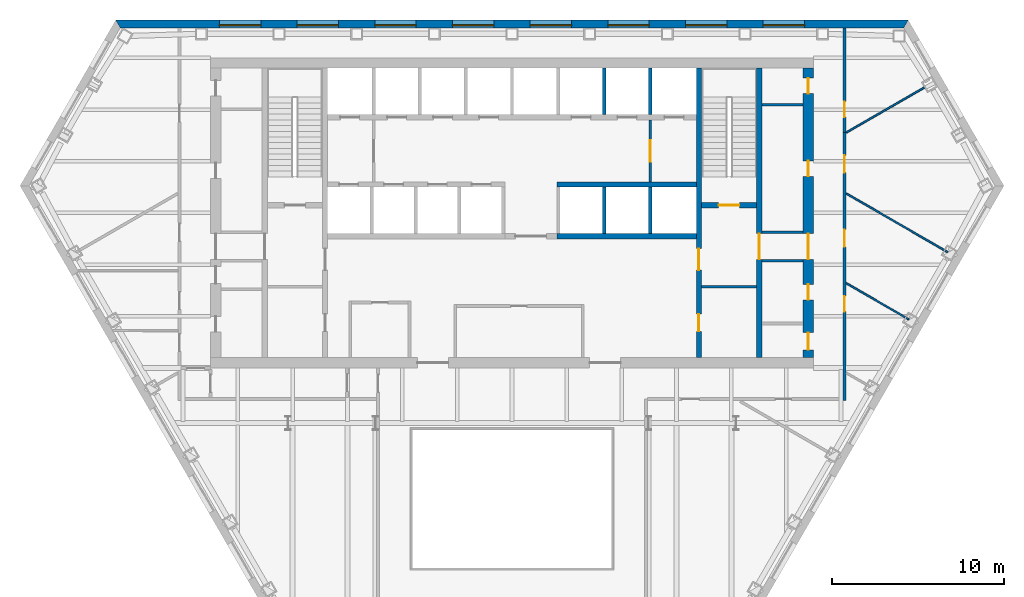
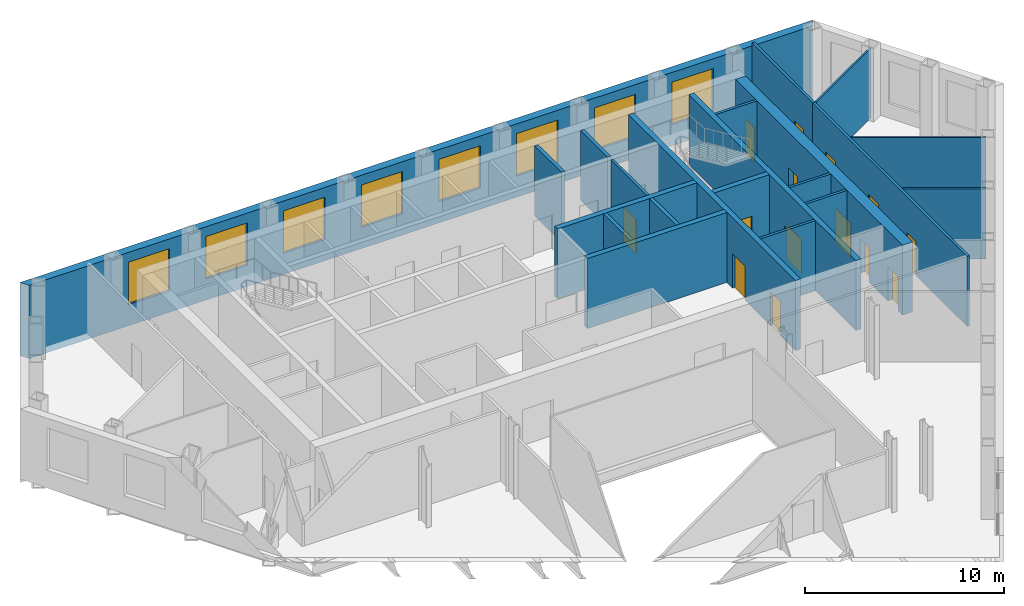
# One storey, part 8 of 12: 21 walls, 14 doors, 8 windows, 22 openings.
"""IFC4 building model written with IfcOpenShell, lengths in metres."""

import ifcopenshell
import ifcopenshell.guid

model = None  # the IFC model being written
_history = None  # IfcOwnerHistory: only IFC2X3 demands one
_inside = {}  # id of a spatial element -> (the spatial element, [elements in it])
_under = {}  # id of a project, library or spatial element -> (it, [spatial elements below it])
_declared = {}  # id of a project -> (the project, [libraries it declares])
_typed = {}  # id of a type object -> (the type object, [elements of that type])
_made_of = {}  # id of a material, layer set ... -> (it, [elements and type objects made of it])


def new_model(schema):
    """Start an empty IFC model of exactly this schema.

    Asked for "IFC4X3", IfcOpenShell would pick the latest addendum, in which some entities
    have other attributes; the version numbers below select the first issue.
    IFC2X3 requires an IfcOwnerHistory on every rooted entity: one is made here for all.
    """
    global model, _history
    if schema == "IFC4X3":
        model = ifcopenshell.file(schema_version=(4, 3, 0, 0))
    else:
        model = ifcopenshell.file(schema=schema)
    _inside.clear()
    _under.clear()
    _declared.clear()
    _typed.clear()
    _made_of.clear()
    _history = None
    if model.schema == "IFC2X3":
        org = make("IfcOrganization", Name="unknown")
        user = make(
            "IfcPersonAndOrganization",
            ThePerson=make("IfcPerson", FamilyName="unknown"),
            TheOrganization=org,
        )
        app = make(
            "IfcApplication",
            ApplicationDeveloper=org,
            Version="unknown",
            ApplicationFullName="unknown",
            ApplicationIdentifier="unknown",
        )
        _history = make(
            "IfcOwnerHistory",
            OwningUser=user,
            OwningApplication=app,
            ChangeAction="ADDED",
            CreationDate=0,
        )
    return model


def make(cls, **values):
    """One entity of the class cls with the attributes given. An attribute that is None is left unset."""
    return model.create_entity(
        cls, **{name: value for name, value in values.items() if value is not None}
    )


def rooted(cls, **values):
    """An entity with a GlobalId (a new one), such as an element, a storey or a relation."""
    return make(cls, GlobalId=ifcopenshell.guid.new(), OwnerHistory=_history, **values)


def si_unit(unit_type, name, prefix=None):
    """IfcSIUnit, for example si_unit("LENGTHUNIT", "METRE", prefix="MILLI")."""
    return make("IfcSIUnit", UnitType=unit_type, Prefix=prefix, Name=name)


def assignment(units):
    """IfcUnitAssignment: the units of a project."""
    return None if units is None else make("IfcUnitAssignment", Units=units)


def point(xyz):
    """IfcCartesianPoint."""
    return None if xyz is None else make("IfcCartesianPoint", Coordinates=xyz)


def direction(xyz):
    """IfcDirection."""
    return None if xyz is None else make("IfcDirection", DirectionRatios=xyz)


def frame(location, z_axis=None, x_axis=None):
    """IfcAxis2Placement3D, a coordinate frame: its origin and axes. An axis left out is left unset."""
    return make(
        "IfcAxis2Placement3D",
        Location=point(location),
        Axis=direction(z_axis),
        RefDirection=direction(x_axis),
    )


def frame_2d(location, x_axis=None):
    """IfcAxis2Placement2D, a coordinate frame in the plane: its origin and x axis."""
    return make(
        "IfcAxis2Placement2D", Location=point(location), RefDirection=direction(x_axis)
    )


def origin():
    """The frame at (0, 0, 0) with its axes left unset."""
    return frame((0.0, 0.0, 0.0))


def place(relative_to, where):
    """IfcLocalPlacement: puts the frame where relative to a parent placement (None: the world)."""
    return make(
        "IfcLocalPlacement", PlacementRelTo=relative_to, RelativePlacement=where
    )


def context(
    kind, dimensions, precision=None, world=None, true_north=None, identifier=None
):
    """IfcGeometricRepresentationContext, for example the 3D "Model" context."""
    return make(
        "IfcGeometricRepresentationContext",
        ContextIdentifier=identifier,
        ContextType=kind,
        CoordinateSpaceDimension=dimensions,
        Precision=precision,
        WorldCoordinateSystem=world,
        TrueNorth=true_north,
    )


def subcontext(parent, identifier, kind, view, scale=None):
    """IfcGeometricRepresentationSubContext, for example "Body" below "Model"."""
    return make(
        "IfcGeometricRepresentationSubContext",
        ContextIdentifier=identifier,
        ContextType=kind,
        ParentContext=parent,
        TargetScale=scale,
        TargetView=view,
    )


def project(units=None, contexts=None):
    """IfcProject with its units and contexts."""
    return rooted(
        "IfcProject",
        Name="project",
        RepresentationContexts=contexts,
        UnitsInContext=assignment(units),
    )


def spatial(cls, under=None, at=None, **own):
    """A site, building, storey or space (cls), placed at a placement, below another one or the project."""
    s = rooted(cls, ObjectPlacement=at, **own)
    if under is not None:
        _under.setdefault(under.id(), (under, []))[1].append(s)
    return s


def polyline(points):
    """IfcPolyline through the points."""
    return make("IfcPolyline", Points=[point(p) for p in points])


def profile(cls, at=None, kind="AREA", **sizes):
    """A parametric profile (cls). Its sizes go by their IFC names, for example OverallWidth=200.0."""
    return make(cls, ProfileType=kind, Position=at, **sizes)


def rectangle(**sizes):
    """IfcRectangleProfileDef."""
    return profile("IfcRectangleProfileDef", **sizes)


def outline(outer, holes=None, kind="AREA"):
    """IfcArbitraryClosedProfileDef: a profile drawn as a closed curve; with holes, ...WithVoids."""
    if holes is None:
        return make("IfcArbitraryClosedProfileDef", ProfileType=kind, OuterCurve=outer)
    return make(
        "IfcArbitraryProfileDefWithVoids",
        ProfileType=kind,
        OuterCurve=outer,
        InnerCurves=holes,
    )


def extrude(swept, where, along, depth):
    """IfcExtrudedAreaSolid: the profile swept, set in the frame where, extruded along a direction by depth."""
    return make(
        "IfcExtrudedAreaSolid",
        SweptArea=swept,
        Position=where,
        ExtrudedDirection=direction(along),
        Depth=depth,
    )


def shape(context_of_items, identifier, shape_type, items):
    """IfcShapeRepresentation: the items that make up one representation, for example the "Body"."""
    return make(
        "IfcShapeRepresentation",
        ContextOfItems=context_of_items,
        RepresentationIdentifier=identifier,
        RepresentationType=shape_type,
        Items=items,
    )


def material(Name=None, Category=None):
    """IfcMaterial."""
    return make("IfcMaterial", Name=Name, Category=Category)


def layer(
    of_material, thickness, ventilated=None, Name=None, Category=None, Priority=None
):
    """IfcMaterialLayer: one layer of a wall or slab, of a material (None: an air gap)."""
    return make(
        "IfcMaterialLayer",
        Material=of_material,
        LayerThickness=thickness,
        IsVentilated=ventilated,
        Name=Name,
        Category=Category,
        Priority=Priority,
    )


def layer_set(layers, Name=None):
    """IfcMaterialLayerSet."""
    return make("IfcMaterialLayerSet", MaterialLayers=layers, LayerSetName=Name)


def made_of(thing, what):
    """Note that an element or type object is made of a material, layer set ...; save() writes the relation."""
    if what is not None:
        _made_of.setdefault(what.id(), (what, []))[1].append(thing)
    return thing


def type_object(cls, material=None, **own):
    """A type object (cls), such as IfcWallType, which elements share."""
    return made_of(rooted(cls, **own), material)


def element(
    cls,
    number,
    at=None,
    inside=None,
    cuts=None,
    type_object=None,
    material=None,
    context=None,
    identifier="Body",
    shape_type=None,
    held_by="IfcProductDefinitionShape",
    body=None,
    shapes=None,
    **own,
):
    """One element of the class cls, such as IfcWall. Its Tag is "e" and its number.

    at: its placement. inside: the storey or other place that contains it. cuts: it is an
    opening in that element (IfcRelVoidsElement). A single representation is given by context,
    identifier, shape_type and body (its items); several are given by shapes. held_by: the class
    of the entity that holds the representations. save() writes the other relations.
    """
    e = rooted(cls, Tag="e%d" % number, ObjectPlacement=at, **own)
    if body is not None:
        shapes = [shape(context, identifier, shape_type, body)]
    if shapes is not None:
        e.Representation = make(held_by, Representations=shapes)
    if inside is not None:
        _inside.setdefault(inside.id(), (inside, []))[1].append(e)
    if cuts is not None:
        rooted(
            "IfcRelVoidsElement", RelatingBuildingElement=cuts, RelatedOpeningElement=e
        )
    if type_object is not None:
        _typed.setdefault(type_object.id(), (type_object, []))[1].append(e)
    return made_of(e, material)


def fill(opening, filler):
    """IfcRelFillsElement: the door or window that sits in an opening."""
    return rooted(
        "IfcRelFillsElement",
        RelatingOpeningElement=opening,
        RelatedBuildingElement=filler,
    )


def aggregate(whole, parts):
    """IfcRelAggregates: a whole, such as a stair, and the parts it consists of."""
    return rooted("IfcRelAggregates", RelatingObject=whole, RelatedObjects=parts)


def save(model, path):
    """Write the relations noted so far, then the file.

    IfcRelAggregates (storeys below a building ...), IfcRelContainedInSpatialStructure (elements
    in a storey), IfcRelDefinesByType, IfcRelAssociatesMaterial and IfcRelDeclares: one each for
    every whole, place, type object, material and project.
    """
    for whole, parts in _under.values():
        aggregate(whole, parts)
    for where, things in _inside.values():
        rooted(
            "IfcRelContainedInSpatialStructure",
            RelatedElements=things,
            RelatingStructure=where,
        )
    for kind, things in _typed.values():
        rooted("IfcRelDefinesByType", RelatedObjects=things, RelatingType=kind)
    for what, things in _made_of.values():
        rooted("IfcRelAssociatesMaterial", RelatedObjects=things, RelatingMaterial=what)
    for by, libraries in _declared.values():
        rooted("IfcRelDeclares", RelatingContext=by, RelatedDefinitions=libraries)
    model.write(path)


model = new_model("IFC4")

# Units and contexts
model_context = context("Model", 3, precision=1e-05, world=origin(), true_north=direction((0.0, 1.0)))
body_context = subcontext(model_context, "Body", "Model", "MODEL_VIEW")
ifc_project = project(units=[si_unit("LENGTHUNIT", "METRE"), si_unit("AREAUNIT", "SQUARE_METRE"), si_unit("VOLUMEUNIT", "CUBIC_METRE"), si_unit("PLANEANGLEUNIT", "RADIAN"), si_unit("MASSUNIT", "GRAM", prefix="KILO")], contexts=[model_context])

# Site, building, storey
site_placement = place(None, origin())
site = spatial("IfcSite", under=ifc_project, at=site_placement, CompositionType="ELEMENT")
building_placement = place(site_placement, origin())
building = spatial("IfcBuilding", under=site, at=building_placement, Name="Njiva Tower", CompositionType="ELEMENT")
storey_placement = place(building_placement, frame((0.0, 0.0, 60.3)))
storey = spatial("IfcBuildingStorey", under=building, at=storey_placement, Name="L12", CompositionType="ELEMENT", Elevation=60.3)

# Wall
ifc_material_1 = material(Name="Blockwork", Category="masonry")
ifc_layer_1 = layer(ifc_material_1, 0.15)
ifc_layer_set_1 = layer_set([ifc_layer_1], Name="Blockwork")
wall_type_1 = type_object("IfcWallType", Name="WT1 Compartment partition 150", PredefinedType="PARTITIONING", material=ifc_layer_set_1)
wall_1_placement = place(storey_placement, frame((11.0, 4.725, 0.0), z_axis=(0.0, 0.0, 1.0), x_axis=(1.0, 0.0, 0.0)))
element("IfcWall", 1, at=wall_1_placement, inside=storey, type_object=wall_type_1, Name="Room wall B", PredefinedType="PARTITIONING", context=body_context, shape_type="SweptSolid", body=[
    extrude(rectangle(XDim=3.2, YDim=0.15, at=frame_2d((1.6, 0.0))), origin(), (0.0, 0.0, 1.0), 4.3),
])

# Wall, openings, doors
ifc_material_2 = material(Name="Concrete C40/50", Category="concrete")
ifc_layer_2 = layer(ifc_material_2, 0.3)
ifc_layer_set_2 = layer_set([ifc_layer_2], Name="Concrete C40/50")
wall_type_2 = type_object("IfcWallType", Name="WT10 Stair enclosure wall 300", PredefinedType="SHEAR", material=ifc_layer_set_2)
wall_2_placement = place(storey_placement, frame((10.85, 0.6, 0.0), z_axis=(0.0, 0.0, 1.0), x_axis=(0.0, 1.0, 0.0)))
wall_2 = element("IfcWall", 2, at=wall_2_placement, inside=storey, type_object=wall_type_2, Name="Stair wall east inner", PredefinedType="SHEAR", context=body_context, shape_type="SweptSolid", body=[
    extrude(rectangle(XDim=16.8, YDim=0.3, at=frame_2d((8.4, 0.0))), origin(), (0.0, 0.0, 1.0), 4.3),
])
opening_1_placement = place(wall_2_placement, frame((5.075, 0.0, 0.0)))
opening_1 = element("IfcOpeningElement", 3, at=opening_1_placement, cuts=wall_2, Name="Opening S04-D918", PredefinedType="OPENING", context=body_context, shape_type="SweptSolid", body=[
    extrude(rectangle(XDim=1.25, YDim=2.1, at=frame_2d((0.625, 1.05))), frame((0.0, 0.16, 0.0), z_axis=(0.0, -1.0, 0.0), x_axis=(1.0, 0.0, 0.0)), (0.0, 0.0, 1.0), 0.32),
])
opening_2_placement = place(wall_2_placement, frame((1.525, 0.0, 0.0)))
opening_2 = element("IfcOpeningElement", 4, at=opening_2_placement, cuts=wall_2, Name="Opening S04-D919", PredefinedType="OPENING", context=body_context, shape_type="SweptSolid", body=[
    extrude(rectangle(XDim=1.0, YDim=2.1, at=frame_2d((0.5, 1.05))), frame((0.0, 0.16, 0.0), z_axis=(0.0, -1.0, 0.0), x_axis=(1.0, 0.0, 0.0)), (0.0, 0.0, 1.0), 0.32),
])
ifc_material_3 = material(Name="Steel door, painted", Category="steel")
door_type_1 = type_object("IfcDoorType", Name="D5 Steel door 1000x2100", OperationType="SINGLE_SWING_LEFT", PredefinedType="DOOR", material=ifc_material_3)
door_1_placement = place(opening_2_placement, origin())
door_1 = element("IfcDoor", 5, at=door_1_placement, inside=storey, type_object=door_type_1, Name="Meeting room door", OperationType="SINGLE_SWING_LEFT", OverallHeight=2.1, OverallWidth=1.0, PredefinedType="DOOR", context=body_context, shape_type="SweptSolid", body=[
    extrude(rectangle(XDim=1.0, YDim=2.1, at=frame_2d((0.5, 1.05))), frame((0.0, 0.025, 0.0), z_axis=(0.0, -1.0, 0.0), x_axis=(1.0, 0.0, 0.0)), (0.0, 0.0, 1.0), 0.05),
])
fill(opening_2, door_1)
ifc_material_4 = material(Name="Glazed steel fire door", Category="steel")
door_type_2 = type_object("IfcDoorType", Name="D8 Vestibule corridor door 1250x2100 glazed", OperationType="SINGLE_SWING_LEFT", PredefinedType="DOOR", material=ifc_material_4)
door_2_placement = place(opening_1_placement, origin())
door_2 = element("IfcDoor", 6, at=door_2_placement, inside=storey, type_object=door_type_2, Name="Stair vestibule corridor door", OperationType="SINGLE_SWING_RIGHT", OverallHeight=2.1, OverallWidth=1.25, PredefinedType="DOOR", context=body_context, shape_type="SweptSolid", body=[
    extrude(rectangle(XDim=1.25, YDim=2.1, at=frame_2d((0.625, 1.05))), frame((0.0, 0.025, 0.0), z_axis=(0.0, -1.0, 0.0), x_axis=(1.0, 0.0, 0.0)), (0.0, 0.0, 1.0), 0.05),
])
fill(opening_1, door_2)

# Wall, opening, door
wall_3_placement = place(storey_placement, frame((14.35, 0.6, 0.0), z_axis=(0.0, 0.0, 1.0), x_axis=(0.0, 1.0, 0.0)))
wall_3 = element("IfcWall", 7, at=wall_3_placement, inside=storey, type_object=wall_type_2, Name="Stair wall east outer", PredefinedType="SHEAR", context=body_context, shape_type="SweptSolid", body=[
    extrude(rectangle(XDim=16.8, YDim=0.3, at=frame_2d((8.4, 0.0))), origin(), (0.0, 0.0, 1.0), 4.3),
])
opening_3_placement = place(wall_3_placement, frame((5.7, 0.0, 0.0)))
opening_3 = element("IfcOpeningElement", 8, at=opening_3_placement, cuts=wall_3, Name="Opening S04-D926", PredefinedType="OPENING", context=body_context, shape_type="SweptSolid", body=[
    extrude(rectangle(XDim=1.5, YDim=2.1, at=frame_2d((0.75, 1.05))), frame((0.0, 0.16, 0.0), z_axis=(0.0, -1.0, 0.0), x_axis=(1.0, 0.0, 0.0)), (0.0, 0.0, 1.0), 0.32),
])
door_type_3 = type_object("IfcDoorType", Name="D10 Exit door double 1500x2100 glazed", OperationType="DOUBLE_DOOR_SINGLE_SWING", PredefinedType="DOOR", material=ifc_material_4)
door_3_placement = place(opening_3_placement, origin())
door_3 = element("IfcDoor", 9, at=door_3_placement, inside=storey, type_object=door_type_3, Name="Stair B passage door", OperationType="DOUBLE_DOOR_SINGLE_SWING", OverallHeight=2.1, OverallWidth=1.5, PredefinedType="DOOR", context=body_context, shape_type="SweptSolid", body=[
    extrude(rectangle(XDim=1.5, YDim=2.1, at=frame_2d((0.75, 1.05))), frame((0.0, 0.025, 0.0), z_axis=(0.0, -1.0, 0.0), x_axis=(1.0, 0.0, 0.0)), (0.0, 0.0, 1.0), 0.05),
])
fill(opening_3, door_3)

wall_4_placement = place(storey_placement, frame((11.0, 9.45, 0.0), z_axis=(0.0, 0.0, 1.0), x_axis=(1.0, 0.0, 0.0)))
wall_4 = element("IfcWall", 10, at=wall_4_placement, inside=storey, type_object=wall_type_2, Name="Stair B south wall", PredefinedType="SHEAR", context=body_context, shape_type="SweptSolid", body=[
    extrude(rectangle(XDim=3.2, YDim=0.3, at=frame_2d((1.6, 0.0))), origin(), (0.0, 0.0, 1.0), 4.3),
])
opening_4_placement = place(wall_4_placement, frame((1.0, 0.0, 0.0)))
opening_4 = element("IfcOpeningElement", 11, at=opening_4_placement, cuts=wall_4, Name="Opening S04-D917", PredefinedType="OPENING", context=body_context, shape_type="SweptSolid", body=[
    extrude(rectangle(XDim=1.2, YDim=2.1, at=frame_2d((0.6, 1.05))), frame((0.0, 0.16, 0.0), z_axis=(0.0, -1.0, 0.0), x_axis=(1.0, 0.0, 0.0)), (0.0, 0.0, 1.0), 0.32),
])
door_type_4 = type_object("IfcDoorType", Name="D7 Stair vestibule door 1200x2100 glazed", OperationType="SINGLE_SWING_LEFT", PredefinedType="DOOR", material=ifc_material_4)
door_4_placement = place(opening_4_placement, origin())
door_4 = element("IfcDoor", 12, at=door_4_placement, inside=storey, type_object=door_type_4, Name="Stair B door", OperationType="SINGLE_SWING_LEFT", OverallHeight=2.1, OverallWidth=1.2, PredefinedType="DOOR", context=body_context, shape_type="SweptSolid", body=[
    extrude(rectangle(XDim=1.2, YDim=2.1, at=frame_2d((0.6, 1.05))), frame((0.0, 0.025, 0.0), z_axis=(0.0, -1.0, 0.0), x_axis=(1.0, 0.0, 0.0)), (0.0, 0.0, 1.0), 0.05),
])
fill(opening_4, door_4)

# Wall, openings, doors
ifc_material_5 = material(Name="Concrete C60/75", Category="concrete")
ifc_layer_3 = layer(ifc_material_5, 0.6)
ifc_layer_set_3 = layer_set([ifc_layer_3], Name="Concrete C60/75")
wall_type_3 = type_object("IfcWallType", Name="WT15 Core wall 600", PredefinedType="SHEAR", material=ifc_layer_set_3)
wall_5_placement = place(storey_placement, frame((17.2, 0.6, 0.0), z_axis=(0.0, 0.0, 1.0), x_axis=(0.0, 1.0, 0.0)))
wall_5 = element("IfcWall", 13, at=wall_5_placement, inside=storey, type_object=wall_type_3, Name="Core wall east", PredefinedType="SHEAR", context=body_context, shape_type="SweptSolid", body=[
    extrude(rectangle(XDim=16.8, YDim=0.6, at=frame_2d((8.4, 0.0))), origin(), (0.0, 0.0, 1.0), 4.3),
])
opening_5_placement = place(wall_5_placement, frame((5.7, 0.0, 0.0)))
opening_5 = element("IfcOpeningElement", 14, at=opening_5_placement, cuts=wall_5, Name="Opening S04-D927", PredefinedType="OPENING", context=body_context, shape_type="SweptSolid", body=[
    extrude(rectangle(XDim=1.5, YDim=2.1, at=frame_2d((0.75, 1.05))), frame((0.0, 0.31, 0.0), z_axis=(0.0, -1.0, 0.0), x_axis=(1.0, 0.0, 0.0)), (0.0, 0.0, 1.0), 0.62),
])
opening_6_placement = place(wall_5_placement, frame((0.4543, 0.0, 0.0)))
opening_6 = element("IfcOpeningElement", 15, at=opening_6_placement, cuts=wall_5, Name="Opening S04-D928", PredefinedType="OPENING", context=body_context, shape_type="SweptSolid", body=[
    extrude(rectangle(XDim=1.0, YDim=2.1, at=frame_2d((0.5, 1.05))), frame((0.0, 0.31, 0.0), z_axis=(0.0, -1.0, 0.0), x_axis=(1.0, 0.0, 0.0)), (0.0, 0.0, 1.0), 0.62),
])
opening_7_placement = place(wall_5_placement, frame((3.3543, 0.0, 0.0)))
opening_7 = element("IfcOpeningElement", 16, at=opening_7_placement, cuts=wall_5, Name="Opening S04-D929", PredefinedType="OPENING", context=body_context, shape_type="SweptSolid", body=[
    extrude(rectangle(XDim=0.9, YDim=2.1, at=frame_2d((0.45, 1.05))), frame((0.0, 0.31, 0.0), z_axis=(0.0, -1.0, 0.0), x_axis=(1.0, 0.0, 0.0)), (0.0, 0.0, 1.0), 0.62),
])
opening_8_placement = place(wall_5_placement, frame((10.5266, 0.0, 0.0)))
opening_8 = element("IfcOpeningElement", 17, at=opening_8_placement, cuts=wall_5, Name="Opening S04-D930", PredefinedType="OPENING", context=body_context, shape_type="SweptSolid", body=[
    extrude(rectangle(XDim=0.9, YDim=2.1, at=frame_2d((0.45, 1.05))), frame((0.0, 0.31, 0.0), z_axis=(0.0, -1.0, 0.0), x_axis=(1.0, 0.0, 0.0)), (0.0, 0.0, 1.0), 0.62),
])
opening_9_placement = place(wall_5_placement, frame((15.3266, 0.0, 0.0)))
opening_9 = element("IfcOpeningElement", 18, at=opening_9_placement, cuts=wall_5, Name="Opening S04-D931", PredefinedType="OPENING", context=body_context, shape_type="SweptSolid", body=[
    extrude(rectangle(XDim=0.9, YDim=2.1, at=frame_2d((0.45, 1.05))), frame((0.0, 0.31, 0.0), z_axis=(0.0, -1.0, 0.0), x_axis=(1.0, 0.0, 0.0)), (0.0, 0.0, 1.0), 0.62),
])
door_5_placement = place(opening_5_placement, origin())
door_5 = element("IfcDoor", 19, at=door_5_placement, inside=storey, type_object=door_type_3, Name="Stair B corridor door", OperationType="DOUBLE_DOOR_SINGLE_SWING", OverallHeight=2.1, OverallWidth=1.5, PredefinedType="DOOR", context=body_context, shape_type="SweptSolid", body=[
    extrude(rectangle(XDim=1.5, YDim=2.1, at=frame_2d((0.75, 1.05))), frame((0.0, 0.025, 0.0), z_axis=(0.0, -1.0, 0.0), x_axis=(1.0, 0.0, 0.0)), (0.0, 0.0, 1.0), 0.05),
])
fill(opening_5, door_5)
door_type_5 = type_object("IfcDoorType", Name="D4 Riser door 900x2100", OperationType="SINGLE_SWING_LEFT", PredefinedType="DOOR", material=ifc_material_3)
door_6_placement = place(opening_9_placement, origin())
door_6 = element("IfcDoor", 20, at=door_6_placement, inside=storey, type_object=door_type_5, Name="Riser door", OperationType="SINGLE_SWING_RIGHT", OverallHeight=2.1, OverallWidth=0.9, PredefinedType="DOOR", context=body_context, shape_type="SweptSolid", body=[
    extrude(rectangle(XDim=0.9, YDim=2.1, at=frame_2d((0.45, 1.05))), frame((0.0, 0.025, 0.0), z_axis=(0.0, -1.0, 0.0), x_axis=(1.0, 0.0, 0.0)), (0.0, 0.0, 1.0), 0.05),
])
fill(opening_9, door_6)
door_7_placement = place(opening_6_placement, origin())
door_7 = element("IfcDoor", 21, at=door_7_placement, inside=storey, type_object=door_type_1, Name="Telecoms room door", OperationType="SINGLE_SWING_RIGHT", OverallHeight=2.1, OverallWidth=1.0, PredefinedType="DOOR", context=body_context, shape_type="SweptSolid", body=[
    extrude(rectangle(XDim=1.0, YDim=2.1, at=frame_2d((0.5, 1.05))), frame((0.0, 0.025, 0.0), z_axis=(0.0, -1.0, 0.0), x_axis=(1.0, 0.0, 0.0)), (0.0, 0.0, 1.0), 0.05),
])
fill(opening_6, door_7)
ifc_material_6 = material(Name="Steel fire door, painted", Category="steel")
door_type_6 = type_object("IfcDoorType", Name="D6 Fire-rated door 900x2100", OperationType="SINGLE_SWING_LEFT", PredefinedType="DOOR", material=ifc_material_6)
door_8_placement = place(opening_7_placement, origin())
door_8 = element("IfcDoor", 22, at=door_8_placement, inside=storey, type_object=door_type_6, Name="Quiet room door", OperationType="SINGLE_SWING_RIGHT", OverallHeight=2.1, OverallWidth=0.9, PredefinedType="DOOR", context=body_context, shape_type="SweptSolid", body=[
    extrude(rectangle(XDim=0.9, YDim=2.1, at=frame_2d((0.45, 1.05))), frame((0.0, 0.025, 0.0), z_axis=(0.0, -1.0, 0.0), x_axis=(1.0, 0.0, 0.0)), (0.0, 0.0, 1.0), 0.05),
])
fill(opening_7, door_8)
door_9_placement = place(opening_8_placement, origin())
door_9 = element("IfcDoor", 23, at=door_9_placement, inside=storey, type_object=door_type_6, Name="Prayer room door", OperationType="SINGLE_SWING_LEFT", OverallHeight=2.1, OverallWidth=0.9, PredefinedType="DOOR", context=body_context, shape_type="SweptSolid", body=[
    extrude(rectangle(XDim=0.9, YDim=2.1, at=frame_2d((0.45, 1.05))), frame((0.0, 0.025, 0.0), z_axis=(0.0, -1.0, 0.0), x_axis=(1.0, 0.0, 0.0)), (0.0, 0.0, 1.0), 0.05),
])
fill(opening_8, door_9)

# Wall, opening, door
ifc_layer_4 = layer(ifc_material_1, 0.15)
ifc_layer_set_4 = layer_set([ifc_layer_4], Name="Blockwork")
wall_type_4 = type_object("IfcWallType", Name="WT2 Lobby partition 150", PredefinedType="PARTITIONING", material=ifc_layer_set_4)
wall_6_placement = place(storey_placement, frame((8.025, 10.8, 0.0), z_axis=(0.0, 0.0, 1.0), x_axis=(0.0, 1.0, 0.0)))
wall_6 = element("IfcWall", 24, at=wall_6_placement, inside=storey, type_object=wall_type_4, Name="Firefighting lobby wall B", PredefinedType="PARTITIONING", context=body_context, shape_type="SweptSolid", body=[
    extrude(rectangle(XDim=3.6, YDim=0.15, at=frame_2d((1.8, 0.0))), origin(), (0.0, 0.0, 1.0), 4.3),
])
opening_10_placement = place(wall_6_placement, frame((1.175, 0.0, 0.0)))
opening_10 = element("IfcOpeningElement", 25, at=opening_10_placement, cuts=wall_6, Name="Opening S04-D916", PredefinedType="OPENING", context=body_context, shape_type="SweptSolid", body=[
    extrude(rectangle(XDim=1.25, YDim=2.1, at=frame_2d((0.625, 1.05))), frame((0.0, 0.085, 0.0), z_axis=(0.0, -1.0, 0.0), x_axis=(1.0, 0.0, 0.0)), (0.0, 0.0, 1.0), 0.17),
])
door_10_placement = place(opening_10_placement, origin())
door_10 = element("IfcDoor", 26, at=door_10_placement, inside=storey, type_object=door_type_2, Name="Stair vestibule corridor door", OperationType="SINGLE_SWING_LEFT", OverallHeight=2.1, OverallWidth=1.25, PredefinedType="DOOR", context=body_context, shape_type="SweptSolid", body=[
    extrude(rectangle(XDim=1.25, YDim=2.1, at=frame_2d((0.625, 1.05))), frame((0.0, 0.025, 0.0), z_axis=(0.0, -1.0, 0.0), x_axis=(1.0, 0.0, 0.0)), (0.0, 0.0, 1.0), 0.05),
])
fill(opening_10, door_10)

# Walls
ifc_material_7 = material(Name="Gypsum board on steel studs", Category="gypsum")
ifc_layer_5 = layer(ifc_material_7, 0.1)
ifc_layer_set_5 = layer_set([ifc_layer_5], Name="Gypsum board on steel studs")
wall_type_5 = type_object("IfcWallType", Name="WT20 Gypsum partition 100", PredefinedType="PARTITIONING", material=ifc_layer_set_5)
wall_7_placement = place(storey_placement, frame((19.4, 4.921, 0.0), z_axis=(0.0, 0.0, 1.0), x_axis=(0.866039032844, -0.499976393034, 0.0)))
element("IfcWall", 27, at=wall_7_placement, inside=storey, type_object=wall_type_5, Name="Partition S04-P020", PredefinedType="PARTITIONING", context=body_context, shape_type="SweptSolid", body=[
    extrude(rectangle(XDim=4.2042, YDim=0.1, at=frame_2d((2.1021, 0.0))), origin(), (0.0, 0.0, 1.0), 4.3),
])
wall_8_placement = place(storey_placement, frame((19.401, 10.128, 0.0), z_axis=(0.0, 0.0, 1.0), x_axis=(0.865992313895, -0.50005730899, 0.0)))
element("IfcWall", 28, at=wall_8_placement, inside=storey, type_object=wall_type_5, Name="Partition S04-P021", PredefinedType="PARTITIONING", context=body_context, shape_type="SweptSolid", body=[
    extrude(rectangle(XDim=6.8072, YDim=0.1, at=frame_2d((3.4036, 0.0))), origin(), (0.0, 0.0, 1.0), 4.3),
])
wall_9_placement = place(storey_placement, frame((19.401, 13.666, 0.0), z_axis=(0.0, 0.0, 1.0), x_axis=(0.866161319146, 0.499764513761, 0.0)))
element("IfcWall", 29, at=wall_9_placement, inside=storey, type_object=wall_type_5, Name="Partition S04-P022", PredefinedType="PARTITIONING", context=body_context, shape_type="SweptSolid", body=[
    extrude(rectangle(XDim=5.4886, YDim=0.1, at=frame_2d((2.7443, 0.0))), origin(), (0.0, 0.0, 1.0), 4.3),
])

# Wall, openings, doors
ifc_layer_6 = layer(ifc_material_7, 0.15)
ifc_layer_set_6 = layer_set([ifc_layer_6], Name="Gypsum board on steel studs")
wall_type_6 = type_object("IfcWallType", Name="WT21 Compartment wall 150", PredefinedType="PARTITIONING", material=ifc_layer_set_6)
wall_10_placement = place(storey_placement, frame((19.3, -1.875, 0.0), z_axis=(0.0, 0.0, 1.0), x_axis=(6.4383209e-05, 0.999999997927, 0.0)))
wall_10 = element("IfcWall", 30, at=wall_10_placement, inside=storey, type_object=wall_type_6, Name="Partition S04-P017", PredefinedType="PARTITIONING", context=body_context, shape_type="SweptSolid", body=[
    extrude(rectangle(XDim=15.532, YDim=0.15, at=frame_2d((7.766, 0.0))), origin(), (0.0, 0.0, 1.0), 4.3),
])
opening_11_placement = place(wall_10_placement, frame((5.153, 0.0, 0.0)))
opening_11 = element("IfcOpeningElement", 31, at=opening_11_placement, cuts=wall_10, Name="Opening S04-D012", PredefinedType="OPENING", context=body_context, shape_type="SweptSolid", body=[
    extrude(rectangle(XDim=0.9, YDim=2.1, at=frame_2d((0.45, 1.05))), frame((0.0, 0.085, 0.0), z_axis=(0.0, -1.0, 0.0), x_axis=(1.0, 0.0, 0.0)), (0.0, 0.0, 1.0), 0.17),
])
opening_12_placement = place(wall_10_placement, frame((8.907, 0.0, 0.0)))
opening_12 = element("IfcOpeningElement", 32, at=opening_12_placement, cuts=wall_10, Name="Opening S04-D013", PredefinedType="OPENING", context=body_context, shape_type="SweptSolid", body=[
    extrude(rectangle(XDim=1.0, YDim=2.1, at=frame_2d((0.5, 1.05))), frame((0.0, 0.085, 0.0), z_axis=(0.0, -1.0, 0.0), x_axis=(1.0, 0.0, 0.0)), (0.0, 0.0, 1.0), 0.17),
])
opening_13_placement = place(wall_10_placement, frame((13.221, 0.0, 0.0)))
opening_13 = element("IfcOpeningElement", 33, at=opening_13_placement, cuts=wall_10, Name="Opening S04-D014", PredefinedType="OPENING", context=body_context, shape_type="SweptSolid", body=[
    extrude(rectangle(XDim=1.0, YDim=2.1, at=frame_2d((0.5, 1.05))), frame((0.0, 0.085, 0.0), z_axis=(0.0, -1.0, 0.0), x_axis=(1.0, 0.0, 0.0)), (0.0, 0.0, 1.0), 0.17),
])
ifc_material_8 = material(Name="Steel fire door set", Category="steel")
door_type_7 = type_object("IfcDoorType", Name="D36 Fire door 900x2100", OperationType="SINGLE_SWING_LEFT", PredefinedType="DOOR", material=ifc_material_8)
door_11_placement = place(opening_11_placement, origin())
door_11 = element("IfcDoor", 34, at=door_11_placement, inside=storey, type_object=door_type_7, Name="Door S04-D012", OperationType="SINGLE_SWING_LEFT", OverallHeight=2.1, OverallWidth=0.9, PredefinedType="DOOR", context=body_context, shape_type="SweptSolid", body=[
    extrude(rectangle(XDim=0.9, YDim=2.1, at=frame_2d((0.45, 1.05))), frame((0.0, 0.025, 0.0), z_axis=(0.0, -1.0, 0.0), x_axis=(1.0, 0.0, 0.0)), (0.0, 0.0, 1.0), 0.05),
])
fill(opening_11, door_11)
door_type_8 = type_object("IfcDoorType", Name="D37 Fire door 1000x2100", OperationType="SINGLE_SWING_LEFT", PredefinedType="DOOR", material=ifc_material_8)
door_12_placement = place(opening_12_placement, origin())
door_12 = element("IfcDoor", 35, at=door_12_placement, inside=storey, type_object=door_type_8, Name="Door S04-D013", OperationType="SINGLE_SWING_RIGHT", OverallHeight=2.1, OverallWidth=1.0, PredefinedType="DOOR", context=body_context, shape_type="SweptSolid", body=[
    extrude(rectangle(XDim=1.0, YDim=2.1, at=frame_2d((0.5, 1.05))), frame((0.0, 0.025, 0.0), z_axis=(0.0, -1.0, 0.0), x_axis=(1.0, 0.0, 0.0)), (0.0, 0.0, 1.0), 0.05),
])
fill(opening_12, door_12)
door_13_placement = place(opening_13_placement, origin())
door_13 = element("IfcDoor", 36, at=door_13_placement, inside=storey, type_object=door_type_8, Name="Door S04-D014", OperationType="SINGLE_SWING_RIGHT", OverallHeight=2.1, OverallWidth=1.0, PredefinedType="DOOR", context=body_context, shape_type="SweptSolid", body=[
    extrude(rectangle(XDim=1.0, YDim=2.1, at=frame_2d((0.5, 1.05))), frame((0.0, 0.025, 0.0), z_axis=(0.0, -1.0, 0.0), x_axis=(1.0, 0.0, 0.0)), (0.0, 0.0, 1.0), 0.05),
])
fill(opening_13, door_13)

# Wall, opening, door
wall_11_placement = place(storey_placement, frame((19.3, 19.749, 0.0), z_axis=(0.0, 0.0, 1.0), x_axis=(0.000164149702, -0.999999986527, 0.0)))
wall_11 = element("IfcWall", 37, at=wall_11_placement, inside=storey, type_object=wall_type_6, Name="Partition S04-P018", PredefinedType="PARTITIONING", context=body_context, shape_type="SweptSolid", body=[
    extrude(rectangle(XDim=6.092, YDim=0.15, at=frame_2d((3.046, 0.0))), origin(), (0.0, 0.0, 1.0), 4.3),
])
opening_14_placement = place(wall_11_placement, frame((4.286, 0.0, 0.0)))
opening_14 = element("IfcOpeningElement", 38, at=opening_14_placement, cuts=wall_11, Name="Opening S04-D015", PredefinedType="OPENING", context=body_context, shape_type="SweptSolid", body=[
    extrude(rectangle(XDim=0.9, YDim=2.1, at=frame_2d((0.45, 1.05))), frame((0.0, 0.085, 0.0), z_axis=(0.0, -1.0, 0.0), x_axis=(1.0, 0.0, 0.0)), (0.0, 0.0, 1.0), 0.17),
])
door_14_placement = place(opening_14_placement, origin())
door_14 = element("IfcDoor", 39, at=door_14_placement, inside=storey, type_object=door_type_7, Name="Door S04-D015", OperationType="SINGLE_SWING_LEFT", OverallHeight=2.1, OverallWidth=0.9, PredefinedType="DOOR", context=body_context, shape_type="SweptSolid", body=[
    extrude(rectangle(XDim=0.9, YDim=2.1, at=frame_2d((0.45, 1.05))), frame((0.0, 0.025, 0.0), z_axis=(0.0, -1.0, 0.0), x_axis=(1.0, 0.0, 0.0)), (0.0, 0.0, 1.0), 0.05),
])
fill(opening_14, door_14)

# Walls
ifc_layer_7 = layer(ifc_material_1, 0.15)
ifc_layer_set_7 = layer_set([ifc_layer_7], Name="Blockwork")
wall_type_7 = type_object("IfcWallType", Name="WT3 Riser partition 150", PredefinedType="PARTITIONING", material=ifc_layer_set_7)
wall_12_placement = place(storey_placement, frame((14.5, 15.2783, 0.0), z_axis=(0.0, 0.0, 1.0), x_axis=(1.0, 0.0, 0.0)))
element("IfcWall", 40, at=wall_12_placement, inside=storey, type_object=wall_type_7, Name="Partition strip E10", PredefinedType="PARTITIONING", context=body_context, shape_type="SweptSolid", body=[
    extrude(rectangle(XDim=2.4, YDim=0.15, at=frame_2d((1.2, 0.0))), origin(), (0.0, 0.0, 1.0), 4.3),
])
ifc_layer_8 = layer(ifc_material_1, 0.15)
ifc_layer_set_8 = layer_set([ifc_layer_8], Name="Blockwork")
wall_type_8 = type_object("IfcWallType", Name="WT4 Stair partition 150", PredefinedType="PARTITIONING", material=ifc_layer_set_8)
for number, where, z_axis, x_axis, name in (
    (41, (14.5, 6.225, 0.0), (0.0, 0.0, 1.0), (1.0, 0.0, 0.0), "Stair B exit passage wall south"),
    (42, (14.5, 7.875, 0.0), (0.0, 0.0, 1.0), (1.0, 0.0, 0.0), "Stair B exit passage wall north"),
):
    element("IfcWall", number, at=place(storey_placement, frame(where, z_axis=z_axis, x_axis=x_axis)), inside=storey, type_object=wall_type_8, Name=name, PredefinedType="PARTITIONING", context=body_context, shape_type="SweptSolid", body=[
        extrude(rectangle(XDim=2.4, YDim=0.15, at=frame_2d((1.2, 0.0))), origin(), (0.0, 0.0, 1.0), 4.3),
    ])
ifc_layer_9 = layer(ifc_material_2, 0.2)
ifc_layer_set_9 = layer_set([ifc_layer_9], Name="Concrete C40/50")
wall_type_9 = type_object("IfcWallType", Name="WT6 Lift shaft wall 200", PredefinedType="SHEAR", material=ifc_layer_set_9)
for number, where, z_axis, x_axis, name in (
    (43, (5.35, 14.7, 0.0), (0.0, 0.0, 1.0), (0.0, 1.0, 0.0), "Shaft wall CN6"),
    (44, (8.025, 14.7, 0.0), (0.0, 0.0, 1.0), (0.0, 1.0, 0.0), "Shaft wall CN7"),
    (45, (5.3667, 7.8, 0.0), (0.0, 0.0, 1.0), (0.0, 1.0, 0.0), "Shaft wall CS6"),
    (46, (8.0333, 7.8, 0.0), (0.0, 0.0, 1.0), (0.0, 1.0, 0.0), "Shaft wall CS7"),
):
    element("IfcWall", number, at=place(storey_placement, frame(where, z_axis=z_axis, x_axis=x_axis)), inside=storey, type_object=wall_type_9, Name=name, PredefinedType="SHEAR", context=body_context, shape_type="SweptSolid", body=[
        extrude(rectangle(XDim=2.7, YDim=0.2, at=frame_2d((1.35, 0.0))), origin(), (0.0, 0.0, 1.0), 4.3),
    ])
ifc_layer_10 = layer(ifc_material_2, 0.3)
ifc_layer_set_10 = layer_set([ifc_layer_10], Name="Concrete C40/50")
wall_type_10 = type_object("IfcWallType", Name="WT7 Lift shaft wall 300", PredefinedType="SHEAR", material=ifc_layer_set_10)
for number, where, z_axis, x_axis, name in (
    (47, (2.6, 10.65, 0.0), (0.0, 0.0, 1.0), (1.0, 0.0, 0.0), "Shaft wall south row lobby side E"),
    (48, (2.6, 7.65, 0.0), (0.0, 0.0, 1.0), (1.0, 0.0, 0.0), "Shaft wall south row back E"),
):
    element("IfcWall", number, at=place(storey_placement, frame(where, z_axis=z_axis, x_axis=x_axis)), inside=storey, type_object=wall_type_10, Name=name, PredefinedType="SHEAR", context=body_context, shape_type="SweptSolid", body=[
        extrude(rectangle(XDim=8.1, YDim=0.3, at=frame_2d((4.05, 0.0))), origin(), (0.0, 0.0, 1.0), 4.3),
    ])

# Wall, openings, windows
ifc_material_9 = material(Name="Brick masonry", Category="masonry")
ifc_layer_11 = layer(ifc_material_9, 0.45)
ifc_layer_set_11 = layer_set([ifc_layer_11], Name="Brick masonry")
wall_type_11 = type_object("IfcWallType", Name="WT90 Brick pier and spandrel wall 450", PredefinedType="SOLIDWALL", material=ifc_layer_set_11)
wall_13_placement = place(storey_placement, frame((22.8751, 19.975, -0.4), z_axis=(0.0, 0.0, 1.0), x_axis=(-1.0, 0.0, 0.0)))
wall_13 = element("IfcWall", 49, at=wall_13_placement, inside=storey, type_object=wall_type_11, Name="Facade wall N", PredefinedType="SOLIDWALL", context=body_context, shape_type="SweptSolid", body=[
    extrude(outline(polyline([(-0.1299, -0.225), (45.8801, -0.225), (45.6203, 0.225), (0.1299, 0.225), (-0.1299, -0.225)])), origin(), (0.0, 0.0, 1.0), 4.5),
])
opening_15_placement = place(wall_13_placement, frame((5.8949, 0.0, 1.3)))
opening_15 = element("IfcOpeningElement", 50, at=opening_15_placement, cuts=wall_13, Name="Opening S04-W01", PredefinedType="OPENING", context=body_context, shape_type="SweptSolid", body=[
    extrude(rectangle(XDim=2.4, YDim=2.6, at=frame_2d((1.2, 1.3))), frame((0.0, 0.235, 0.0), z_axis=(0.0, -1.0, 0.0), x_axis=(1.0, 0.0, 0.0)), (0.0, 0.0, 1.0), 0.47),
])
opening_16_placement = place(wall_13_placement, frame((10.4035, 0.0, 1.3)))
opening_16 = element("IfcOpeningElement", 51, at=opening_16_placement, cuts=wall_13, Name="Opening S04-W02", PredefinedType="OPENING", context=body_context, shape_type="SweptSolid", body=[
    extrude(rectangle(XDim=2.4, YDim=2.6, at=frame_2d((1.2, 1.3))), frame((0.0, 0.235, 0.0), z_axis=(0.0, -1.0, 0.0), x_axis=(1.0, 0.0, 0.0)), (0.0, 0.0, 1.0), 0.47),
])
opening_17_placement = place(wall_13_placement, frame((14.9122, 0.0, 1.3)))
opening_17 = element("IfcOpeningElement", 52, at=opening_17_placement, cuts=wall_13, Name="Opening S04-W03", PredefinedType="OPENING", context=body_context, shape_type="SweptSolid", body=[
    extrude(rectangle(XDim=2.4, YDim=2.6, at=frame_2d((1.2, 1.3))), frame((0.0, 0.235, 0.0), z_axis=(0.0, -1.0, 0.0), x_axis=(1.0, 0.0, 0.0)), (0.0, 0.0, 1.0), 0.47),
])
opening_18_placement = place(wall_13_placement, frame((19.4208, 0.0, 1.3)))
opening_18 = element("IfcOpeningElement", 53, at=opening_18_placement, cuts=wall_13, Name="Opening S04-W04", PredefinedType="OPENING", context=body_context, shape_type="SweptSolid", body=[
    extrude(rectangle(XDim=2.4, YDim=2.6, at=frame_2d((1.2, 1.3))), frame((0.0, 0.235, 0.0), z_axis=(0.0, -1.0, 0.0), x_axis=(1.0, 0.0, 0.0)), (0.0, 0.0, 1.0), 0.47),
])
opening_19_placement = place(wall_13_placement, frame((23.9294, 0.0, 1.3)))
opening_19 = element("IfcOpeningElement", 54, at=opening_19_placement, cuts=wall_13, Name="Opening S04-W05", PredefinedType="OPENING", context=body_context, shape_type="SweptSolid", body=[
    extrude(rectangle(XDim=2.4, YDim=2.6, at=frame_2d((1.2, 1.3))), frame((0.0, 0.235, 0.0), z_axis=(0.0, -1.0, 0.0), x_axis=(1.0, 0.0, 0.0)), (0.0, 0.0, 1.0), 0.47),
])
opening_20_placement = place(wall_13_placement, frame((28.438, 0.0, 1.3)))
opening_20 = element("IfcOpeningElement", 55, at=opening_20_placement, cuts=wall_13, Name="Opening S04-W06", PredefinedType="OPENING", context=body_context, shape_type="SweptSolid", body=[
    extrude(rectangle(XDim=2.4, YDim=2.6, at=frame_2d((1.2, 1.3))), frame((0.0, 0.235, 0.0), z_axis=(0.0, -1.0, 0.0), x_axis=(1.0, 0.0, 0.0)), (0.0, 0.0, 1.0), 0.47),
])
opening_21_placement = place(wall_13_placement, frame((32.9466, 0.0, 1.3)))
opening_21 = element("IfcOpeningElement", 56, at=opening_21_placement, cuts=wall_13, Name="Opening S04-W07", PredefinedType="OPENING", context=body_context, shape_type="SweptSolid", body=[
    extrude(rectangle(XDim=2.4, YDim=2.6, at=frame_2d((1.2, 1.3))), frame((0.0, 0.235, 0.0), z_axis=(0.0, -1.0, 0.0), x_axis=(1.0, 0.0, 0.0)), (0.0, 0.0, 1.0), 0.47),
])
opening_22_placement = place(wall_13_placement, frame((37.4553, 0.0, 1.3)))
opening_22 = element("IfcOpeningElement", 57, at=opening_22_placement, cuts=wall_13, Name="Opening S04-W08", PredefinedType="OPENING", context=body_context, shape_type="SweptSolid", body=[
    extrude(rectangle(XDim=2.4, YDim=2.6, at=frame_2d((1.2, 1.3))), frame((0.0, 0.235, 0.0), z_axis=(0.0, -1.0, 0.0), x_axis=(1.0, 0.0, 0.0)), (0.0, 0.0, 1.0), 0.47),
])
ifc_material_10 = material(Name="Clear glazing in aluminium frame", Category="aluminium")
window_type = type_object("IfcWindowType", Name="W92 Deep-set window 2400x2600", PartitioningType="SINGLE_PANEL", PredefinedType="WINDOW", material=ifc_material_10)
window_1_placement = place(opening_15_placement, origin())
window_1 = element("IfcWindow", 58, at=window_1_placement, inside=storey, type_object=window_type, Name="Window", OverallHeight=2.6, OverallWidth=2.4, PartitioningType="SINGLE_PANEL", PredefinedType="WINDOW", context=body_context, shape_type="SweptSolid", body=[
    extrude(rectangle(XDim=2.4, YDim=2.6, at=frame_2d((1.2, 1.3))), frame((0.0, 0.105, 0.0), z_axis=(0.0, -1.0, 0.0), x_axis=(1.0, 0.0, 0.0)), (0.0, 0.0, 1.0), 0.06),
])
fill(opening_15, window_1)
window_2_placement = place(opening_16_placement, origin())
window_2 = element("IfcWindow", 59, at=window_2_placement, inside=storey, type_object=window_type, Name="Window", OverallHeight=2.6, OverallWidth=2.4, PartitioningType="SINGLE_PANEL", PredefinedType="WINDOW", context=body_context, shape_type="SweptSolid", body=[
    extrude(rectangle(XDim=2.4, YDim=2.6, at=frame_2d((1.2, 1.3))), frame((0.0, 0.105, 0.0), z_axis=(0.0, -1.0, 0.0), x_axis=(1.0, 0.0, 0.0)), (0.0, 0.0, 1.0), 0.06),
])
fill(opening_16, window_2)
window_3_placement = place(opening_17_placement, origin())
window_3 = element("IfcWindow", 60, at=window_3_placement, inside=storey, type_object=window_type, Name="Window", OverallHeight=2.6, OverallWidth=2.4, PartitioningType="SINGLE_PANEL", PredefinedType="WINDOW", context=body_context, shape_type="SweptSolid", body=[
    extrude(rectangle(XDim=2.4, YDim=2.6, at=frame_2d((1.2, 1.3))), frame((0.0, 0.105, 0.0), z_axis=(0.0, -1.0, 0.0), x_axis=(1.0, 0.0, 0.0)), (0.0, 0.0, 1.0), 0.06),
])
fill(opening_17, window_3)
window_4_placement = place(opening_18_placement, origin())
window_4 = element("IfcWindow", 61, at=window_4_placement, inside=storey, type_object=window_type, Name="Window", OverallHeight=2.6, OverallWidth=2.4, PartitioningType="SINGLE_PANEL", PredefinedType="WINDOW", context=body_context, shape_type="SweptSolid", body=[
    extrude(rectangle(XDim=2.4, YDim=2.6, at=frame_2d((1.2, 1.3))), frame((0.0, 0.105, 0.0), z_axis=(0.0, -1.0, 0.0), x_axis=(1.0, 0.0, 0.0)), (0.0, 0.0, 1.0), 0.06),
])
fill(opening_18, window_4)
window_5_placement = place(opening_19_placement, origin())
window_5 = element("IfcWindow", 62, at=window_5_placement, inside=storey, type_object=window_type, Name="Window", OverallHeight=2.6, OverallWidth=2.4, PartitioningType="SINGLE_PANEL", PredefinedType="WINDOW", context=body_context, shape_type="SweptSolid", body=[
    extrude(rectangle(XDim=2.4, YDim=2.6, at=frame_2d((1.2, 1.3))), frame((0.0, 0.105, 0.0), z_axis=(0.0, -1.0, 0.0), x_axis=(1.0, 0.0, 0.0)), (0.0, 0.0, 1.0), 0.06),
])
fill(opening_19, window_5)
window_6_placement = place(opening_20_placement, origin())
window_6 = element("IfcWindow", 63, at=window_6_placement, inside=storey, type_object=window_type, Name="Window", OverallHeight=2.6, OverallWidth=2.4, PartitioningType="SINGLE_PANEL", PredefinedType="WINDOW", context=body_context, shape_type="SweptSolid", body=[
    extrude(rectangle(XDim=2.4, YDim=2.6, at=frame_2d((1.2, 1.3))), frame((0.0, 0.105, 0.0), z_axis=(0.0, -1.0, 0.0), x_axis=(1.0, 0.0, 0.0)), (0.0, 0.0, 1.0), 0.06),
])
fill(opening_20, window_6)
window_7_placement = place(opening_21_placement, origin())
window_7 = element("IfcWindow", 64, at=window_7_placement, inside=storey, type_object=window_type, Name="Window", OverallHeight=2.6, OverallWidth=2.4, PartitioningType="SINGLE_PANEL", PredefinedType="WINDOW", context=body_context, shape_type="SweptSolid", body=[
    extrude(rectangle(XDim=2.4, YDim=2.6, at=frame_2d((1.2, 1.3))), frame((0.0, 0.105, 0.0), z_axis=(0.0, -1.0, 0.0), x_axis=(1.0, 0.0, 0.0)), (0.0, 0.0, 1.0), 0.06),
])
fill(opening_21, window_7)
window_8_placement = place(opening_22_placement, origin())
window_8 = element("IfcWindow", 65, at=window_8_placement, inside=storey, type_object=window_type, Name="Window", OverallHeight=2.6, OverallWidth=2.4, PartitioningType="SINGLE_PANEL", PredefinedType="WINDOW", context=body_context, shape_type="SweptSolid", body=[
    extrude(rectangle(XDim=2.4, YDim=2.6, at=frame_2d((1.2, 1.3))), frame((0.0, 0.105, 0.0), z_axis=(0.0, -1.0, 0.0), x_axis=(1.0, 0.0, 0.0)), (0.0, 0.0, 1.0), 0.06),
])
fill(opening_22, window_8)

save(model, "model.ifc")
